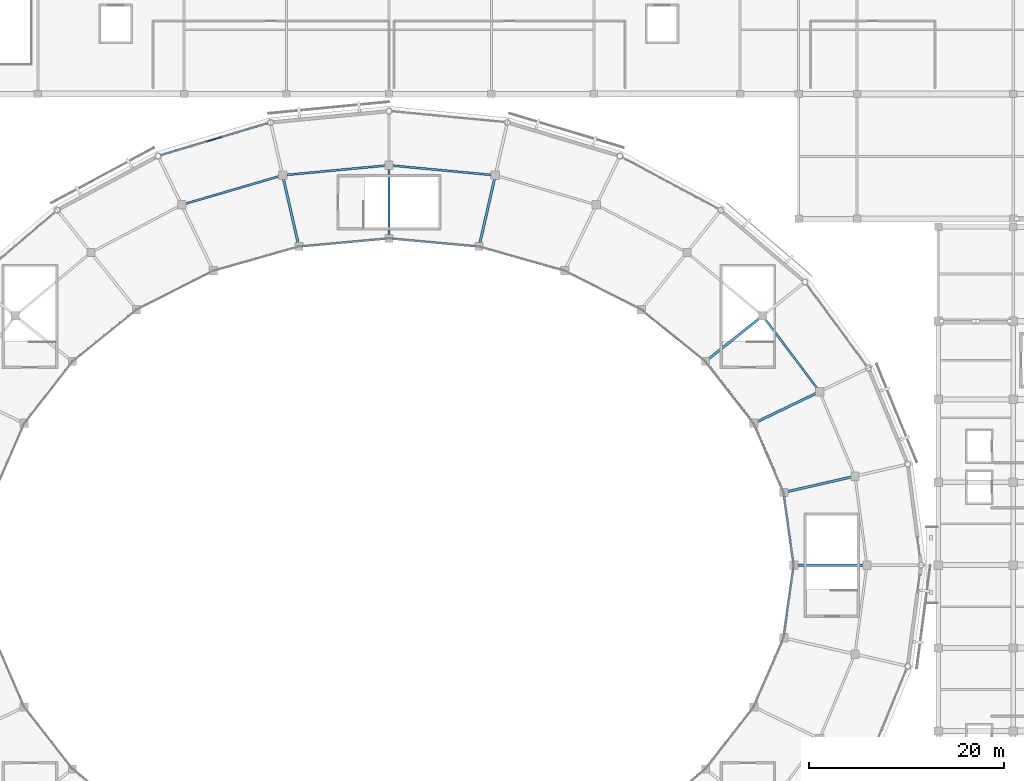
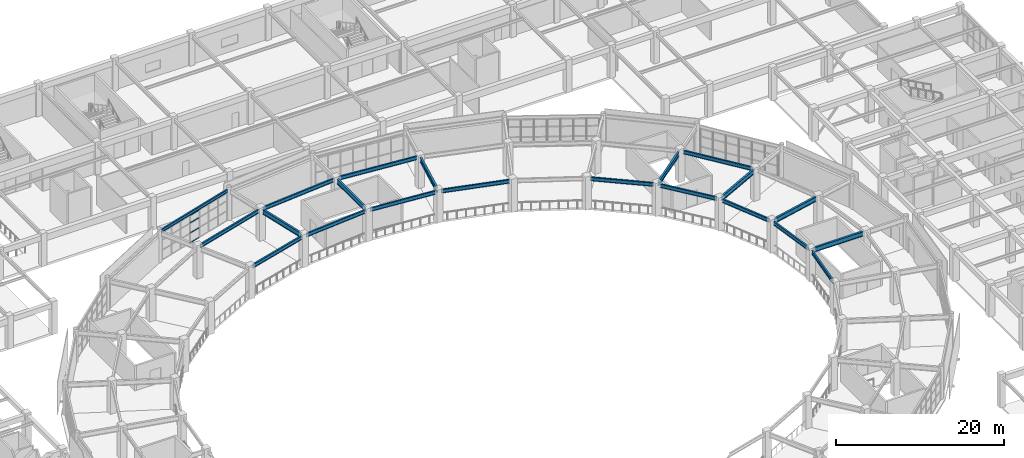
# One storey, part 45 of 112: 21 beams, 4 members, 1 element without a shape of its own.
"""IFC4 building model written with IfcOpenShell, lengths in metres."""

from ifc_helpers import new_model, si_unit, direction, frame, origin, origin_2d, place, context, subcontext, project, spatial, rectangle, i_section, extrude, material, material_profile, profile_set, type_object, element, aggregate, save


model = new_model("IFC4")

# Units and contexts
model_context = context("Model", 3, precision=1e-05, world=origin(), true_north=direction((0.0, 1.0)))
body_context = subcontext(model_context, "Body", "Model", "MODEL_VIEW")
ifc_project = project(units=[si_unit("LENGTHUNIT", "METRE"), si_unit("AREAUNIT", "SQUARE_METRE"), si_unit("VOLUMEUNIT", "CUBIC_METRE"), si_unit("PLANEANGLEUNIT", "RADIAN"), si_unit("MASSUNIT", "GRAM", prefix="KILO")], contexts=[model_context])

# Site, building, storey
site_placement = place(None, origin())
site = spatial("IfcSite", under=ifc_project, at=site_placement, CompositionType="ELEMENT")
building_placement = place(site_placement, origin())
building = spatial("IfcBuilding", under=site, at=building_placement, Name="Cuetzalor Civic Arena", CompositionType="ELEMENT")
storey_placement = place(building_placement, frame((0.0, 0.0, 11.39990234375)))
storey = spatial("IfcBuildingStorey", under=building, at=storey_placement, Name="L02", CompositionType="ELEMENT", Elevation=11.39990234375)

# Curtain wall, members
ifc_material_1 = material(Name="Anodised dark bronze aluminium and low-E solar glass", Category="aluminium")
curtain_wall_type = type_object("IfcCurtainWallType", Name="UnitisedCW_11300x4050", PredefinedType="USERDEFINED", material=ifc_material_1)
curtain_wall_placement = place(storey_placement, origin())
curtain_wall = element("IfcCurtainWall", 1, at=curtain_wall_placement, inside=storey, type_object=curtain_wall_type, Name="Drum Triangle Foyer Curtain Wall L02-036", ObjectType="UNITISED CURTAIN WALL", PredefinedType="USERDEFINED")
ifc_material_2 = material(Name="Anodised dark bronze aluminium", Category="aluminium")
ifc_material_profile_1 = material_profile(ifc_material_2, rectangle(XDim=0.1201171875, YDim=0.06494140625, at=origin_2d()), Name="ALU TRANSOM 65x120")
ifc_profile_set_1 = profile_set([ifc_material_profile_1], Name="Anodised dark bronze aluminium")
member_type = type_object("IfcMemberType", Name="CurtainWallTransom_60x120", PredefinedType="USERDEFINED", material=ifc_profile_set_1)
member_1_placement = place(storey_placement, frame((-18.646484375, 43.439697265625, 0.03271484375), z_axis=(0.958219657378, 0.286033369058, 0.0), x_axis=(-0.286033369058, 0.958219657378, 0.0)))
member_1 = element("IfcMember", 2, at=member_1_placement, type_object=member_type, Name="CW-15 transom 4.1", ObjectType="TRANSOM", PredefinedType="USERDEFINED", context=body_context, shape_type="SweptSolid", body=[
    extrude(rectangle(XDim=0.1201171875, YDim=0.06494140625, at=origin_2d()), origin(), (0.0, 0.0, 1.0), 1.55078125),
])
member_2_placement = place(storey_placement, frame((-18.646484375, 43.439697265625, 1.458984375), z_axis=(0.958219657378, 0.286033369058, 0.0), x_axis=(-0.286033369058, 0.958219657378, 0.0)))
member_2 = element("IfcMember", 3, at=member_2_placement, type_object=member_type, Name="CW-15 transom 4.2", ObjectType="TRANSOM", PredefinedType="USERDEFINED", context=body_context, shape_type="SweptSolid", body=[
    extrude(rectangle(XDim=0.1201171875, YDim=0.06494140625, at=origin_2d()), origin(), (0.0, 0.0, 1.0), 1.55078125),
])
member_3_placement = place(storey_placement, frame((-18.646484375, 43.439697265625, 2.918212890625), z_axis=(0.958219657378, 0.286033369058, 0.0), x_axis=(-0.286033369058, 0.958219657378, 0.0)))
member_3 = element("IfcMember", 4, at=member_3_placement, type_object=member_type, Name="CW-15 transom 4.3", ObjectType="TRANSOM", PredefinedType="USERDEFINED", context=body_context, shape_type="SweptSolid", body=[
    extrude(rectangle(XDim=0.1201171875, YDim=0.06494140625, at=origin_2d()), origin(), (0.0, 0.0, 1.0), 1.55078125),
])
member_4_placement = place(storey_placement, frame((-18.646484375, 43.439697265625, 4.0205078125), z_axis=(0.958219657378, 0.286033369058, 0.0), x_axis=(-0.286033369058, 0.958219657378, 0.0)))
member_4 = element("IfcMember", 5, at=member_4_placement, type_object=member_type, Name="CW-15 transom 4.4", ObjectType="TRANSOM", PredefinedType="USERDEFINED", context=body_context, shape_type="SweptSolid", body=[
    extrude(rectangle(XDim=0.1201171875, YDim=0.06494140625, at=origin_2d()), origin(), (0.0, 0.0, 1.0), 1.55078125),
])
aggregate(curtain_wall, [member_1, member_2, member_3, member_4])

# Beams
ifc_material_3 = material(Name="Steel S355", Category="steel")
ifc_material_profile_2 = material_profile(ifc_material_3, i_section(OverallWidth=0.18994140625, OverallDepth=0.45703125, WebThickness=0.009033203125, FlangeThickness=0.014404296875, at=origin_2d()), Name="W460x74")
ifc_profile_set_2 = profile_set([ifc_material_profile_2], Name="Steel S355")
beam_type_1 = type_object("IfcBeamType", Name="FacadeSpandrelBeam_W460", PredefinedType="SPANDREL", material=ifc_profile_set_2)
beam_1_placement = place(storey_placement, frame((-12.41650390625, 45.2998046875, 4.29150390625), z_axis=(-0.958199215373, -0.28610184141, 0.0), x_axis=(0.28610184141, -0.958199215373, 0.0)))
element("IfcBeam", 6, at=beam_1_placement, inside=storey, type_object=beam_type_1, Name="Drum Perimeter Spandrel L02-S09", PredefinedType="SPANDREL", context=body_context, shape_type="SweptSolid", body=[
    extrude(i_section(OverallWidth=0.18994140625, OverallDepth=0.45703125, WebThickness=0.009033203125, FlangeThickness=0.014404296875, at=origin_2d()), origin(), (0.0, 0.0, 1.0), 11.45263671875),
])
ifc_material_4 = material(Name="Steel S355", Category="steel")
ifc_material_profile_3 = material_profile(ifc_material_4, i_section(OverallWidth=0.208984375, OverallDepth=0.532958984375, WebThickness=0.01025390625, FlangeThickness=0.015625, at=origin_2d()), Name="W530x92")
ifc_profile_set_3 = profile_set([ifc_material_profile_3], Name="Steel S355")
beam_type_2 = type_object("IfcBeamType", Name="SteelCollarGirder_W530", PredefinedType="BEAM", material=ifc_profile_set_3)
beam_2_placement = place(storey_placement, frame((41.4501953125, 0.3564453125, 4.253662109375), z_axis=(-0.138232032173, 0.990399871406, 0.0), x_axis=(-0.990399871406, -0.138232032173, 0.0)))
element("IfcBeam", 7, at=beam_2_placement, inside=storey, type_object=beam_type_2, Name="Bowl Inner Ring Girder L02-S01", PredefinedType="BEAM", context=body_context, shape_type="SweptSolid", body=[
    extrude(i_section(OverallWidth=0.208984375, OverallDepth=0.532958984375, WebThickness=0.01025390625, FlangeThickness=0.015625, at=origin_2d()), origin(), (0.0, 0.0, 1.0), 6.806884765625),
])
beam_3_placement = place(storey_placement, frame((40.31640625, 7.784912109375, 4.253662109375), z_axis=(-0.39772689401, 0.917503851644, 0.0), x_axis=(-0.917503851644, -0.39772689401, 0.0)))
element("IfcBeam", 8, at=beam_3_placement, inside=storey, type_object=beam_type_2, Name="Bowl Inner Ring Girder L02-S02", PredefinedType="BEAM", context=body_context, shape_type="SweptSolid", body=[
    extrude(i_section(OverallWidth=0.208984375, OverallDepth=0.532958984375, WebThickness=0.01025390625, FlangeThickness=0.015625, at=origin_2d()), origin(), (0.0, 0.0, 1.0), 6.9970703125),
])
beam_4_placement = place(storey_placement, frame((43.92529296875, 18.085205078125, 4.253662109375), z_axis=(-0.600491348624, 0.799631252658, 0.0), x_axis=(-0.799631252658, -0.600491348624, 0.0)))
element("IfcBeam", 9, at=beam_4_placement, inside=storey, type_object=beam_type_2, Name="Drum Concourse Ring Girder L02-S03", PredefinedType="BEAM", context=body_context, shape_type="SweptSolid", body=[
    extrude(i_section(OverallWidth=0.208984375, OverallDepth=0.532958984375, WebThickness=0.01025390625, FlangeThickness=0.015625, at=origin_2d()), origin(), (0.0, 0.0, 1.0), 8.9814453125),
])
beam_5_placement = place(storey_placement, frame((37.169189453125, 14.819091796875, 4.253662109375), z_axis=(-0.614261103096, 0.789102843249, 0.0), x_axis=(-0.789102843249, -0.614261103096, 0.0)))
element("IfcBeam", 10, at=beam_5_placement, inside=storey, type_object=beam_type_2, Name="Bowl Inner Ring Girder L02-S03", PredefinedType="BEAM", context=body_context, shape_type="SweptSolid", body=[
    extrude(i_section(OverallWidth=0.208984375, OverallDepth=0.532958984375, WebThickness=0.01025390625, FlangeThickness=0.015625, at=origin_2d()), origin(), (0.0, 0.0, 1.0), 7.329345703125),
])
beam_6_placement = place(storey_placement, frame((32.166015625, 21.113037109375, 4.253662109375), z_axis=(-0.77812651983, 0.628107569719, 0.0), x_axis=(-0.628107569719, -0.77812651983, 0.0)))
element("IfcBeam", 11, at=beam_6_placement, inside=storey, type_object=beam_type_2, Name="Bowl Inner Ring Girder L02-S04", PredefinedType="BEAM", context=body_context, shape_type="SweptSolid", body=[
    extrude(i_section(OverallWidth=0.208984375, OverallDepth=0.532958984375, WebThickness=0.01025390625, FlangeThickness=0.015625, at=origin_2d()), origin(), (0.0, 0.0, 1.0), 7.725341796875),
])
beam_7_placement = place(storey_placement, frame((17.659912109375, 30.280517578125, 4.253662109375), z_axis=(-0.962353567102, 0.271800684117, 0.0), x_axis=(-0.271800684117, -0.962353567102, 0.0)))
element("IfcBeam", 12, at=beam_7_placement, inside=storey, type_object=beam_type_2, Name="Bowl Inner Ring Girder L02-S06", PredefinedType="BEAM", context=body_context, shape_type="SweptSolid", body=[
    extrude(i_section(OverallWidth=0.208984375, OverallDepth=0.532958984375, WebThickness=0.01025390625, FlangeThickness=0.015625, at=origin_2d()), origin(), (0.0, 0.0, 1.0), 8.394775390625),
])
beam_8_placement = place(storey_placement, frame((10.53515625, 40.006591796875, 4.253662109375), z_axis=(-0.995583045118, 0.093885037538, 0.0), x_axis=(-0.093885037538, -0.995583045118, 0.0)))
element("IfcBeam", 13, at=beam_8_placement, inside=storey, type_object=beam_type_2, Name="Drum Concourse Ring Girder L02-S07", PredefinedType="BEAM", context=body_context, shape_type="SweptSolid", body=[
    extrude(i_section(OverallWidth=0.208984375, OverallDepth=0.532958984375, WebThickness=0.01025390625, FlangeThickness=0.015625, at=origin_2d()), origin(), (0.0, 0.0, 1.0), 10.2119140625),
])
beam_9_placement = place(storey_placement, frame((8.876220703125, 32.692626953125, 4.253662109375), z_axis=(-0.995889930215, 0.090571777597, 0.0), x_axis=(-0.090571777597, -0.995889930215, 0.0)))
element("IfcBeam", 14, at=beam_9_placement, inside=storey, type_object=beam_type_2, Name="Bowl Inner Ring Girder L02-S07", PredefinedType="BEAM", context=body_context, shape_type="SweptSolid", body=[
    extrude(i_section(OverallWidth=0.208984375, OverallDepth=0.532958984375, WebThickness=0.01025390625, FlangeThickness=0.015625, at=origin_2d()), origin(), (0.0, 0.0, 1.0), 8.552978515625),
])
beam_10_placement = place(storey_placement, frame((-0.368408203125, 40.96533203125, 4.253662109375), z_axis=(-0.995583045118, -0.093885037538, 0.0), x_axis=(0.093885037538, -0.995583045118, 0.0)))
element("IfcBeam", 15, at=beam_10_placement, inside=storey, type_object=beam_type_2, Name="Drum Concourse Ring Girder L02-S08", PredefinedType="BEAM", context=body_context, shape_type="SweptSolid", body=[
    extrude(i_section(OverallWidth=0.208984375, OverallDepth=0.532958984375, WebThickness=0.01025390625, FlangeThickness=0.015625, at=origin_2d()), origin(), (0.0, 0.0, 1.0), 10.2119140625),
])
beam_11_placement = place(storey_placement, frame((-0.3583984375, 33.46728515625, 4.253662109375), z_axis=(-0.995889930215, -0.090571777597, 0.0), x_axis=(0.090571777597, -0.995889930215, 0.0)))
element("IfcBeam", 16, at=beam_11_placement, inside=storey, type_object=beam_type_2, Name="Bowl Inner Ring Girder L02-S08", PredefinedType="BEAM", context=body_context, shape_type="SweptSolid", body=[
    extrude(i_section(OverallWidth=0.208984375, OverallDepth=0.532958984375, WebThickness=0.01025390625, FlangeThickness=0.015625, at=origin_2d()), origin(), (0.0, 0.0, 1.0), 8.552978515625),
])
beam_12_placement = place(storey_placement, frame((-11.258544921875, 39.867919921875, 4.253662109375), z_axis=(-0.959716323112, -0.280970779889, 0.0), x_axis=(0.280970779889, -0.959716323112, 0.0)))
element("IfcBeam", 17, at=beam_12_placement, inside=storey, type_object=beam_type_2, Name="Drum Concourse Ring Girder L02-S09", PredefinedType="BEAM", context=body_context, shape_type="SweptSolid", body=[
    extrude(i_section(OverallWidth=0.208984375, OverallDepth=0.532958984375, WebThickness=0.01025390625, FlangeThickness=0.015625, at=origin_2d()), origin(), (0.0, 0.0, 1.0), 10.0517578125),
])
beam_13_placement = place(storey_placement, frame((-9.5810546875, 32.562255859375, 4.253662109375), z_axis=(-0.962353567102, -0.271800684117, 0.0), x_axis=(0.271800684117, -0.962353567102, 0.0)))
element("IfcBeam", 18, at=beam_13_placement, inside=storey, type_object=beam_type_2, Name="Bowl Inner Ring Girder L02-S09", PredefinedType="BEAM", context=body_context, shape_type="SweptSolid", body=[
    extrude(i_section(OverallWidth=0.208984375, OverallDepth=0.532958984375, WebThickness=0.01025390625, FlangeThickness=0.015625, at=origin_2d()), origin(), (0.0, 0.0, 1.0), 8.394775390625),
])
beam_14_placement = place(storey_placement, frame((40.50927734375, -7.097900390625, 4.253662109375), z_axis=(0.138232032173, 0.990399871406, 0.0), x_axis=(-0.990399871406, 0.138232032173, 0.0)))
element("IfcBeam", 19, at=beam_14_placement, inside=storey, type_object=beam_type_2, Name="Bowl Inner Ring Girder L02-S28", PredefinedType="BEAM", context=body_context, shape_type="SweptSolid", body=[
    extrude(i_section(OverallWidth=0.208984375, OverallDepth=0.532958984375, WebThickness=0.01025390625, FlangeThickness=0.015625, at=origin_2d()), origin(), (0.0, 0.0, 1.0), 6.806884765625),
])
ifc_material_5 = material(Name="Steel S355", Category="steel")
ifc_material_profile_4 = material_profile(ifc_material_5, i_section(OverallWidth=0.2529296875, OverallDepth=0.677978515625, WebThickness=0.01171875, FlangeThickness=0.016357421875, at=origin_2d()), Name="W690x125")
ifc_profile_set_4 = profile_set([ifc_material_profile_4], Name="Steel S355")
beam_type_3 = type_object("IfcBeamType", Name="SteelPrimaryGirder_W690", PredefinedType="BEAM", material=ifc_profile_set_4)
for number, where, z_axis, x_axis, name in (
    (20, (41.860107421875, 0.0, 4.18115234375), (1.0, 0.0, 0.0), (0.0, 1.0, 0.0), "Drum Inner Radial Girder L02-R01"),
    (21, (40.810546875, 7.53466796875, 4.18115234375), (0.974931535482, 0.222505058645, 0.0), (-0.222505058645, 0.974931535482, 0.0), "Drum Inner Radial Girder L02-R02"),
):
    element("IfcBeam", number, at=place(storey_placement, frame(where, z_axis=z_axis, x_axis=x_axis)), inside=storey, type_object=beam_type_3, Name=name, PredefinedType="BEAM", context=body_context, shape_type="SweptSolid", body=[
        extrude(i_section(OverallWidth=0.2529296875, OverallDepth=0.677978515625, WebThickness=0.01171875, FlangeThickness=0.016357421875, at=origin_2d()), origin(), (0.0, 0.0, 1.0), 6.77978515625),
    ])
for number, where, z_axis, x_axis, name in (
    (22, (37.714599609375, 14.69140625, 4.18115234375), (0.900975603874, 0.433869751452, 0.0), (-0.433869751452, 0.900975603874, 0.0), "Drum Inner Radial Girder L02-R03"),
    (23, (32.7275390625, 21.111328125, 4.18115234375), (0.781826957604, 0.623495475816, 0.0), (-0.623495475816, 0.781826957604, 0.0), "Drum Inner Radial Girder L02-R04"),
    (24, (9.314697265625, 33.010986328125, 4.18115234375), (0.222531472988, 0.974925506657, 0.0), (-0.974925506657, 0.222531472988, 0.0), "Drum Inner Radial Girder L02-R07"),
):
    element("IfcBeam", number, at=place(storey_placement, frame(where, z_axis=z_axis, x_axis=x_axis)), inside=storey, type_object=beam_type_3, Name=name, PredefinedType="BEAM", context=body_context, shape_type="SweptSolid", body=[
        extrude(i_section(OverallWidth=0.2529296875, OverallDepth=0.677978515625, WebThickness=0.01171875, FlangeThickness=0.016357421875, at=origin_2d()), origin(), (0.0, 0.0, 1.0), 6.780029296875),
    ])
beam_15_placement = place(storey_placement, frame((0.0, 33.860107421875, 4.18115234375), z_axis=(0.0, 1.0, 0.0), x_axis=(-1.0, 0.0, 0.0)))
element("IfcBeam", 25, at=beam_15_placement, inside=storey, type_object=beam_type_3, Name="Drum Inner Radial Girder L02-R08", PredefinedType="BEAM", context=body_context, shape_type="SweptSolid", body=[
    extrude(i_section(OverallWidth=0.2529296875, OverallDepth=0.677978515625, WebThickness=0.01171875, FlangeThickness=0.016357421875, at=origin_2d()), origin(), (0.0, 0.0, 1.0), 6.77978515625),
])
beam_16_placement = place(storey_placement, frame((-9.314697265625, 33.010986328125, 4.18115234375), z_axis=(-0.222531472988, 0.974925506657, 0.0), x_axis=(-0.974925506657, -0.222531472988, 0.0)))
element("IfcBeam", 26, at=beam_16_placement, inside=storey, type_object=beam_type_3, Name="Drum Inner Radial Girder L02-R09", PredefinedType="BEAM", context=body_context, shape_type="SweptSolid", body=[
    extrude(i_section(OverallWidth=0.2529296875, OverallDepth=0.677978515625, WebThickness=0.01171875, FlangeThickness=0.016357421875, at=origin_2d()), origin(), (0.0, 0.0, 1.0), 6.780029296875),
])

save(model, "model.ifc")
